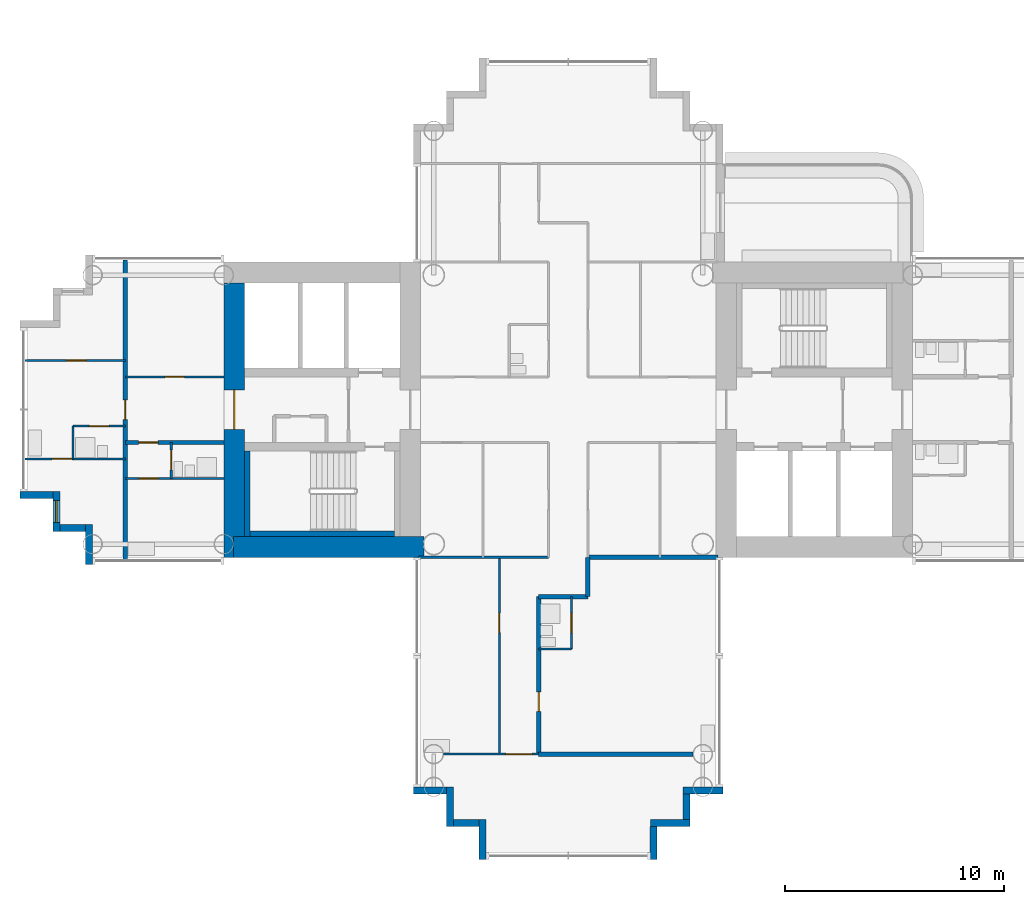
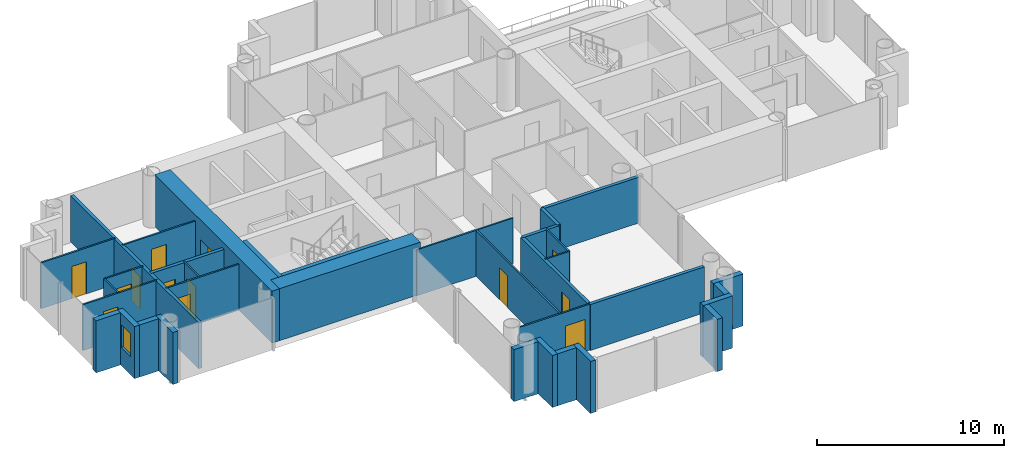
# One storey, part 9 of 22: 35 walls, 13 doors, 1 window, 14 openings.
"""IFC4 building model written with IfcOpenShell, lengths in metres."""

from ifc_helpers import new_model, si_unit, direction, frame, frame_2d, origin, place, context, subcontext, project, spatial, rectangle, extrude, material, layer, layer_set, type_object, element, fill, save


model = new_model("IFC4")

# Units and contexts
model_context = context("Model", 3, precision=1e-05, world=origin(), true_north=direction((0.0, 1.0)))
body_context = subcontext(model_context, "Body", "Model", "MODEL_VIEW")
ifc_project = project(units=[si_unit("LENGTHUNIT", "METRE"), si_unit("AREAUNIT", "SQUARE_METRE"), si_unit("VOLUMEUNIT", "CUBIC_METRE"), si_unit("PLANEANGLEUNIT", "RADIAN"), si_unit("MASSUNIT", "GRAM", prefix="KILO")], contexts=[model_context])

# Site, building, storey
site_placement = place(None, origin())
site = spatial("IfcSite", under=ifc_project, at=site_placement, CompositionType="ELEMENT")
building_placement = place(site_placement, origin())
building = spatial("IfcBuilding", under=site, at=building_placement, Name="Ipe Terrace Towers", CompositionType="ELEMENT")
storey_placement = place(building_placement, frame((0.0, 0.0, 110.60009765625)))
storey = spatial("IfcBuildingStorey", under=building, at=storey_placement, Name="L30", CompositionType="ELEMENT", Elevation=110.60009765625)

# Wall
ifc_material_1 = material(Name="Concrete C40/50 with buff precast cladding", Category="concrete")
ifc_layer_1 = layer(ifc_material_1, 0.320068359375)
ifc_layer_set_1 = layer_set([ifc_layer_1], Name="BUFF CLADDING WALL 320")
wall_type_1 = type_object("IfcWallType", Name="BUFF CLADDING WALL 320", PredefinedType="STANDARD", material=ifc_layer_set_1)
wall_1_placement = place(storey_placement, frame((-61.070068359375, -3.909912109375, -0.300048828125), z_axis=(0.0, 0.0, 1.0), x_axis=(1.0, 0.0, 0.0)))
element("IfcWall", 1, at=wall_1_placement, inside=storey, type_object=wall_type_1, Name="T1-W-L30-00a wall", PredefinedType="STANDARD", context=body_context, shape_type="SweptSolid", body=[
    extrude(rectangle(XDim=1.5, YDim=0.320068359375, at=frame_2d((0.75, 0.0))), origin(), (0.0, 0.0, 1.0), 3.39990234375),
])

# Wall, opening, window
wall_2_placement = place(storey_placement, frame((-59.409912109375, -3.75, -0.300048828125), z_axis=(0.0, 0.0, 1.0), x_axis=(0.0, -1.0, 0.0)))
wall_2 = element("IfcWall", 2, at=wall_2_placement, inside=storey, type_object=wall_type_1, Name="T1-W-L30-01a wall", PredefinedType="STANDARD", context=body_context, shape_type="SweptSolid", body=[
    extrude(rectangle(XDim=1.820068359375, YDim=0.320068359375, at=frame_2d((0.91015625, 0.0))), origin(), (0.0, 0.0, 1.0), 3.39990234375),
])
opening_1_placement = place(wall_2_placement, frame((0.409912109375, 0.0, 1.199951171875)))
opening_1 = element("IfcOpeningElement", 3, at=opening_1_placement, cuts=wall_2, Name="Opening T1-W-05-L30-01", PredefinedType="OPENING", context=body_context, shape_type="SweptSolid", body=[
    extrude(rectangle(XDim=1.0, YDim=1.5, at=frame_2d((0.5, 0.75))), frame((0.0, 0.169921875, 0.0), z_axis=(0.0, -1.0, 0.0), x_axis=(1.0, 0.0, 0.0)), (0.0, 0.0, 1.0), 0.340087890625),
])
ifc_material_2 = material(Name="Glass, clear laminated", Category="glass")
window_type = type_object("IfcWindowType", Name="DWELLING WINDOW 1000 x 1500", PartitioningType="SINGLE_PANEL", PredefinedType="WINDOW", material=ifc_material_2)
window_placement = place(opening_1_placement, origin())
window = element("IfcWindow", 4, at=window_placement, inside=storey, type_object=window_type, Name="W-05 window", OverallHeight=1.5, OverallWidth=1.0, PartitioningType="SINGLE_PANEL", PredefinedType="WINDOW", context=body_context, shape_type="SweptSolid", body=[
    extrude(rectangle(XDim=1.0, YDim=1.5, at=frame_2d((0.5, 0.75))), frame((0.0, 0.030029296875, 0.0), z_axis=(0.0, -1.0, 0.0), x_axis=(1.0, 0.0, 0.0)), (0.0, 0.0, 1.0), 0.06005859375),
])
fill(opening_1, window)

# Walls
wall_3_placement = place(storey_placement, frame((-59.25, -5.409912109375, -0.300048828125), z_axis=(0.0, 0.0, 1.0), x_axis=(1.0, 0.0, 0.0)))
element("IfcWall", 5, at=wall_3_placement, inside=storey, type_object=wall_type_1, Name="T1-W-L30-02a wall", PredefinedType="STANDARD", context=body_context, shape_type="SweptSolid", body=[
    extrude(rectangle(XDim=1.179931640625, YDim=0.320068359375, at=frame_2d((0.58984375, 0.0))), origin(), (0.0, 0.0, 1.0), 3.39990234375),
])
wall_4_placement = place(storey_placement, frame((-57.909912109375, -5.25, -0.300048828125), z_axis=(0.0, 0.0, 1.0), x_axis=(0.0, -1.0, 0.0)))
element("IfcWall", 6, at=wall_4_placement, inside=storey, type_object=wall_type_1, Name="T1-W-L30-03a wall", PredefinedType="STANDARD", context=body_context, shape_type="SweptSolid", body=[
    extrude(rectangle(XDim=1.820068359375, YDim=0.320068359375, at=frame_2d((0.91015625, 0.0))), origin(), (0.0, 0.0, 1.0), 3.39990234375),
])
wall_5_placement = place(storey_placement, frame((-43.070068359375, -17.409912109375, -0.300048828125), z_axis=(0.0, 0.0, 1.0), x_axis=(1.0, 0.0, 0.0)))
element("IfcWall", 7, at=wall_5_placement, inside=storey, type_object=wall_type_1, Name="T1-W-L30-08a wall", PredefinedType="STANDARD", context=body_context, shape_type="SweptSolid", body=[
    extrude(rectangle(XDim=1.5, YDim=0.320068359375, at=frame_2d((0.75, 0.0))), origin(), (0.0, 0.0, 1.0), 3.39990234375),
])
wall_6_placement = place(storey_placement, frame((-41.409912109375, -17.25, -0.300048828125), z_axis=(0.0, 0.0, 1.0), x_axis=(0.0, -1.0, 0.0)))
element("IfcWall", 8, at=wall_6_placement, inside=storey, type_object=wall_type_1, Name="T1-W-L30-09a wall", PredefinedType="STANDARD", context=body_context, shape_type="SweptSolid", body=[
    extrude(rectangle(XDim=1.820068359375, YDim=0.320068359375, at=frame_2d((0.91015625, 0.0))), origin(), (0.0, 0.0, 1.0), 3.39990234375),
])
wall_7_placement = place(storey_placement, frame((-41.25, -18.909912109375, -0.300048828125), z_axis=(0.0, 0.0, 1.0), x_axis=(1.0, 0.0, 0.0)))
element("IfcWall", 9, at=wall_7_placement, inside=storey, type_object=wall_type_1, Name="T1-W-L30-10a wall", PredefinedType="STANDARD", context=body_context, shape_type="SweptSolid", body=[
    extrude(rectangle(XDim=1.179931640625, YDim=0.320068359375, at=frame_2d((0.58984375, 0.0))), origin(), (0.0, 0.0, 1.0), 3.39990234375),
])
wall_8_placement = place(storey_placement, frame((-39.909912109375, -18.75, -0.300048828125), z_axis=(0.0, 0.0, 1.0), x_axis=(0.0, -1.0, 0.0)))
element("IfcWall", 10, at=wall_8_placement, inside=storey, type_object=wall_type_1, Name="T1-W-L30-11a wall", PredefinedType="STANDARD", context=body_context, shape_type="SweptSolid", body=[
    extrude(rectangle(XDim=1.820068359375, YDim=0.320068359375, at=frame_2d((0.91015625, 0.0))), origin(), (0.0, 0.0, 1.0), 3.39990234375),
])
wall_9_placement = place(storey_placement, frame((-32.090087890625, -20.570068359375, -0.300048828125), z_axis=(0.0, 0.0, 1.0), x_axis=(0.0, 1.0, 0.0)))
element("IfcWall", 11, at=wall_9_placement, inside=storey, type_object=wall_type_1, Name="T1-W-L30-13a wall", PredefinedType="STANDARD", context=body_context, shape_type="SweptSolid", body=[
    extrude(rectangle(XDim=1.5, YDim=0.320068359375, at=frame_2d((0.75, 0.0))), origin(), (0.0, 0.0, 1.0), 3.39990234375),
])
wall_10_placement = place(storey_placement, frame((-32.25, -18.909912109375, -0.300048828125), z_axis=(0.0, 0.0, 1.0), x_axis=(1.0, 0.0, 0.0)))
element("IfcWall", 12, at=wall_10_placement, inside=storey, type_object=wall_type_1, Name="T1-W-L30-14a wall", PredefinedType="STANDARD", context=body_context, shape_type="SweptSolid", body=[
    extrude(rectangle(XDim=1.820068359375, YDim=0.320068359375, at=frame_2d((0.91015625, 0.0))), origin(), (0.0, 0.0, 1.0), 3.39990234375),
])
wall_11_placement = place(storey_placement, frame((-30.590087890625, -18.75, -0.300048828125), z_axis=(0.0, 0.0, 1.0), x_axis=(0.0, 1.0, 0.0)))
element("IfcWall", 13, at=wall_11_placement, inside=storey, type_object=wall_type_1, Name="T1-W-L30-15a wall", PredefinedType="STANDARD", context=body_context, shape_type="SweptSolid", body=[
    extrude(rectangle(XDim=1.179931640625, YDim=0.320068359375, at=frame_2d((0.58984375, 0.0))), origin(), (0.0, 0.0, 1.0), 3.39990234375),
])
wall_12_placement = place(storey_placement, frame((-30.75, -17.409912109375, -0.300048828125), z_axis=(0.0, 0.0, 1.0), x_axis=(1.0, 0.0, 0.0)))
element("IfcWall", 14, at=wall_12_placement, inside=storey, type_object=wall_type_1, Name="T1-W-L30-16a wall", PredefinedType="STANDARD", context=body_context, shape_type="SweptSolid", body=[
    extrude(rectangle(XDim=1.820068359375, YDim=0.320068359375, at=frame_2d((0.91015625, 0.0))), origin(), (0.0, 0.0, 1.0), 3.39990234375),
])
ifc_material_3 = material(Name="Gypsum board partition", Category="plasterboard")
ifc_layer_2 = layer(ifc_material_3, 0.10009765625)
ifc_layer_set_2 = layer_set([ifc_layer_2], Name="Gypsum board partition 100 mm")
wall_type_2 = type_object("IfcWallType", Name="Gypsum board partition 100 mm", PredefinedType="PARTITIONING", material=ifc_layer_set_2)
wall_13_placement = place(storey_placement, frame((-58.64990234375, -2.25, 0.0), z_axis=(0.0, 0.0, 1.0), x_axis=(0.0, 1.0, 0.0)))
element("IfcWall", 15, at=wall_13_placement, inside=storey, type_object=wall_type_2, Name="Gypsum board partition T1 L30 W01", PredefinedType="PARTITIONING", context=body_context, shape_type="SweptSolid", body=[
    extrude(rectangle(XDim=1.5, YDim=0.10009765625, at=frame_2d((0.75, 0.0))), origin(), (0.0, 0.0, 1.0), 3.0),
])

# Wall, opening, door
wall_14_placement = place(storey_placement, frame((-54.14990234375, -3.14990234375, 0.0), z_axis=(0.0, 0.0, 1.0), x_axis=(0.0, 1.0, 0.0)))
wall_14 = element("IfcWall", 16, at=wall_14_placement, inside=storey, type_object=wall_type_2, Name="Gypsum board partition T1 L30 W03", PredefinedType="PARTITIONING", context=body_context, shape_type="SweptSolid", body=[
    extrude(rectangle(XDim=1.64990234375, YDim=0.10009765625, at=frame_2d((0.824951171875, 0.0))), origin(), (0.0, 0.0, 1.0), 3.0),
])
opening_2_placement = place(wall_14_placement, frame((0.39990234375, 0.0, 0.0)))
opening_2 = element("IfcOpeningElement", 17, at=opening_2_placement, cuts=wall_14, Name="Opening T1-Z2F-24", PredefinedType="OPENING", context=body_context, shape_type="SweptSolid", body=[
    extrude(rectangle(XDim=0.89990234375, YDim=2.10009765625, at=frame_2d((0.449951171875, 1.050048828125))), frame((0.0, 0.06005859375, 0.0), z_axis=(0.0, -1.0, 0.0), x_axis=(1.0, 0.0, 0.0)), (0.0, 0.0, 1.0), 0.1201171875),
])
ifc_material_4 = material(Name="Timber door leaf", Category="wood")
door_type_1 = type_object("IfcDoorType", Name="Bathroom door 900 x 2100", OperationType="NOTDEFINED", PredefinedType="DOOR", material=ifc_material_4)
door_1_placement = place(opening_2_placement, origin())
door_1 = element("IfcDoor", 18, at=door_1_placement, inside=storey, type_object=door_type_1, Name="Bathroom door T1-Z2F-24", OperationType="SINGLE_SWING_RIGHT", OverallHeight=2.10009765625, OverallWidth=0.89990234375, PredefinedType="DOOR", context=body_context, shape_type="SweptSolid", body=[
    extrude(rectangle(XDim=0.89990234375, YDim=2.10009765625, at=frame_2d((0.449951171875, 1.050048828125))), frame((0.0, 0.02490234375, 0.0), z_axis=(0.0, -1.0, 0.0), x_axis=(1.0, 0.0, 0.0)), (0.0, 0.0, 1.0), 0.050048828125),
])
fill(opening_2, door_1)

wall_15_placement = place(storey_placement, frame((-39.14990234375, -15.75, 0.0), z_axis=(0.0, 0.0, 1.0), x_axis=(0.0, 1.0, 0.0)))
wall_15 = element("IfcWall", 19, at=wall_15_placement, inside=storey, type_object=wall_type_2, Name="Gypsum board partition T1 L30 W05", PredefinedType="PARTITIONING", context=body_context, shape_type="SweptSolid", body=[
    extrude(rectangle(XDim=9.0, YDim=0.10009765625, at=frame_2d((4.5, 0.0))), origin(), (0.0, 0.0, 1.0), 3.0),
])
opening_3_placement = place(wall_15_placement, frame((5.550048828125, 0.0, 0.0)))
opening_3 = element("IfcOpeningElement", 20, at=opening_3_placement, cuts=wall_15, Name="Opening T1-Z2F-14", PredefinedType="OPENING", context=body_context, shape_type="SweptSolid", body=[
    extrude(rectangle(XDim=0.89990234375, YDim=2.10009765625, at=frame_2d((0.449951171875, 1.050048828125))), frame((0.0, 0.06005859375, 0.0), z_axis=(0.0, -1.0, 0.0), x_axis=(1.0, 0.0, 0.0)), (0.0, 0.0, 1.0), 0.1201171875),
])
ifc_material_5 = material(Name="Timber door leaf", Category="wood")
door_type_2 = type_object("IfcDoorType", Name="Lounge door 900 x 2100", OperationType="NOTDEFINED", PredefinedType="DOOR", material=ifc_material_5)
door_2_placement = place(opening_3_placement, origin())
door_2 = element("IfcDoor", 21, at=door_2_placement, inside=storey, type_object=door_type_2, Name="Lounge door T1-Z2F-14", OperationType="SINGLE_SWING_LEFT", OverallHeight=2.10009765625, OverallWidth=0.89990234375, PredefinedType="DOOR", context=body_context, shape_type="SweptSolid", body=[
    extrude(rectangle(XDim=0.89990234375, YDim=2.10009765625, at=frame_2d((0.449951171875, 1.050048828125))), frame((0.0, 0.02490234375, 0.0), z_axis=(0.0, -1.0, 0.0), x_axis=(1.0, 0.0, 0.0)), (0.0, 0.0, 1.0), 0.050048828125),
])
fill(opening_3, door_2)

wall_16_placement = place(storey_placement, frame((-35.85009765625, -10.949951171875, 0.0), z_axis=(0.0, 0.0, 1.0), x_axis=(0.0, 1.0, 0.0)))
wall_16 = element("IfcWall", 22, at=wall_16_placement, inside=storey, type_object=wall_type_2, Name="Gypsum board partition T1 L30 W12", PredefinedType="PARTITIONING", context=body_context, shape_type="SweptSolid", body=[
    extrude(rectangle(XDim=2.39990234375, YDim=0.10009765625, at=frame_2d((1.199951171875, 0.0))), origin(), (0.0, 0.0, 1.0), 3.0),
])
opening_4_placement = place(wall_16_placement, frame((0.75, 0.0, 0.0)))
opening_4 = element("IfcOpeningElement", 23, at=opening_4_placement, cuts=wall_16, Name="Opening T1-Z2F-13", PredefinedType="OPENING", context=body_context, shape_type="SweptSolid", body=[
    extrude(rectangle(XDim=0.89990234375, YDim=2.10009765625, at=frame_2d((0.449951171875, 1.050048828125))), frame((0.0, 0.06005859375, 0.0), z_axis=(0.0, -1.0, 0.0), x_axis=(1.0, 0.0, 0.0)), (0.0, 0.0, 1.0), 0.1201171875),
])
door_3_placement = place(opening_4_placement, origin())
door_3 = element("IfcDoor", 24, at=door_3_placement, inside=storey, type_object=door_type_1, Name="Bathroom door T1-Z2F-13", OperationType="SINGLE_SWING_LEFT", OverallHeight=2.10009765625, OverallWidth=0.89990234375, PredefinedType="DOOR", context=body_context, shape_type="SweptSolid", body=[
    extrude(rectangle(XDim=0.89990234375, YDim=2.10009765625, at=frame_2d((0.449951171875, 1.050048828125))), frame((0.0, 0.02490234375, 0.0), z_axis=(0.0, -1.0, 0.0), x_axis=(1.0, 0.0, 0.0)), (0.0, 0.0, 1.0), 0.050048828125),
])
fill(opening_4, door_3)

wall_17_placement = place(storey_placement, frame((-41.699951171875, -15.75, 0.0), z_axis=(0.0, 0.0, 1.0), x_axis=(1.0, 0.0, 0.0)))
wall_17 = element("IfcWall", 25, at=wall_17_placement, inside=storey, type_object=wall_type_2, Name="Gypsum board partition T1 L30 W23", PredefinedType="PARTITIONING", context=body_context, shape_type="SweptSolid", body=[
    extrude(rectangle(XDim=4.349853515625, YDim=0.10009765625, at=frame_2d((2.1748046875, 0.0))), origin(), (0.0, 0.0, 1.0), 3.0),
])
opening_5_placement = place(wall_17_placement, frame((2.85009765625, 0.0, 0.0)))
opening_5 = element("IfcOpeningElement", 26, at=opening_5_placement, cuts=wall_17, Name="Opening T1-Z2F-15", PredefinedType="OPENING", context=body_context, shape_type="SweptSolid", body=[
    extrude(rectangle(XDim=1.199951171875, YDim=2.10009765625, at=frame_2d((0.60009765625, 1.050048828125))), frame((0.0, 0.06005859375, 0.0), z_axis=(0.0, -1.0, 0.0), x_axis=(1.0, 0.0, 0.0)), (0.0, 0.0, 1.0), 0.1201171875),
])
ifc_material_6 = material(Name="Timber door leaf", Category="wood")
door_type_3 = type_object("IfcDoorType", Name="Lounge door 1200 x 2100", OperationType="NOTDEFINED", PredefinedType="DOOR", material=ifc_material_6)
door_4_placement = place(opening_5_placement, origin())
door_4 = element("IfcDoor", 27, at=door_4_placement, inside=storey, type_object=door_type_3, Name="Lounge door T1-Z2F-15", OperationType="SINGLE_SWING_RIGHT", OverallHeight=2.10009765625, OverallWidth=1.199951171875, PredefinedType="DOOR", context=body_context, shape_type="SweptSolid", body=[
    extrude(rectangle(XDim=1.199951171875, YDim=2.10009765625, at=frame_2d((0.60009765625, 1.050048828125))), frame((0.0, 0.02490234375, 0.0), z_axis=(0.0, -1.0, 0.0), x_axis=(1.0, 0.0, 0.0)), (0.0, 0.0, 1.0), 0.050048828125),
])
fill(opening_5, door_4)

# Walls
wall_18_placement = place(storey_placement, frame((-37.35009765625, -10.949951171875, 0.0), z_axis=(0.0, 0.0, 1.0), x_axis=(1.0, 0.0, 0.0)))
element("IfcWall", 28, at=wall_18_placement, inside=storey, type_object=wall_type_2, Name="Gypsum board partition T1 L30 W25", PredefinedType="PARTITIONING", context=body_context, shape_type="SweptSolid", body=[
    extrude(rectangle(XDim=1.5, YDim=0.10009765625, at=frame_2d((0.75, 0.0))), origin(), (0.0, 0.0, 1.0), 3.0),
])
wall_19_placement = place(storey_placement, frame((-42.85009765625, -6.75, 0.0), z_axis=(0.0, 0.0, 1.0), x_axis=(1.0, 0.0, 0.0)))
element("IfcWall", 29, at=wall_19_placement, inside=storey, type_object=wall_type_2, Name="Gypsum board partition T1 L30 W27", PredefinedType="PARTITIONING", context=body_context, shape_type="SweptSolid", body=[
    extrude(rectangle(XDim=5.9501953125, YDim=0.10009765625, at=frame_2d((2.97509765625, 0.0))), origin(), (0.0, 0.0, 1.0), 3.0),
])

# Wall, opening, door
wall_20_placement = place(storey_placement, frame((-56.25, -3.14990234375, 0.0), z_axis=(0.0, 0.0, 1.0), x_axis=(1.0, 0.0, 0.0)))
wall_20 = element("IfcWall", 30, at=wall_20_placement, inside=storey, type_object=wall_type_2, Name="Gypsum board partition T1 L30 W29", PredefinedType="PARTITIONING", context=body_context, shape_type="SweptSolid", body=[
    extrude(rectangle(XDim=4.5, YDim=0.10009765625, at=frame_2d((2.25, 0.0))), origin(), (0.0, 0.0, 1.0), 3.0),
])
opening_6_placement = place(wall_20_placement, frame((0.60009765625, 0.0, 0.0)))
opening_6 = element("IfcOpeningElement", 31, at=opening_6_placement, cuts=wall_20, Name="Opening T1-Z2F-23", PredefinedType="OPENING", context=body_context, shape_type="SweptSolid", body=[
    extrude(rectangle(XDim=0.89990234375, YDim=2.10009765625, at=frame_2d((0.449951171875, 1.050048828125))), frame((0.0, 0.06005859375, 0.0), z_axis=(0.0, -1.0, 0.0), x_axis=(1.0, 0.0, 0.0)), (0.0, 0.0, 1.0), 0.1201171875),
])
ifc_material_7 = material(Name="Timber door leaf", Category="wood")
door_type_4 = type_object("IfcDoorType", Name="Bedroom door 900 x 2100", OperationType="NOTDEFINED", PredefinedType="DOOR", material=ifc_material_7)
door_5_placement = place(opening_6_placement, origin())
door_5 = element("IfcDoor", 32, at=door_5_placement, inside=storey, type_object=door_type_4, Name="Bedroom door T1-Z2F-23", OperationType="SINGLE_SWING_LEFT", OverallHeight=2.10009765625, OverallWidth=0.89990234375, PredefinedType="DOOR", context=body_context, shape_type="SweptSolid", body=[
    extrude(rectangle(XDim=0.89990234375, YDim=2.10009765625, at=frame_2d((0.449951171875, 1.050048828125))), frame((0.0, 0.02490234375, 0.0), z_axis=(0.0, -1.0, 0.0), x_axis=(1.0, 0.0, 0.0)), (0.0, 0.0, 1.0), 0.050048828125),
])
fill(opening_6, door_5)

wall_21_placement = place(storey_placement, frame((-60.85009765625, -2.25, 0.0), z_axis=(0.0, 0.0, 1.0), x_axis=(1.0, 0.0, 0.0)))
wall_21 = element("IfcWall", 33, at=wall_21_placement, inside=storey, type_object=wall_type_2, Name="Gypsum board partition T1 L30 W31", PredefinedType="PARTITIONING", context=body_context, shape_type="SweptSolid", body=[
    extrude(rectangle(XDim=4.60009765625, YDim=0.10009765625, at=frame_2d((2.300048828125, 0.0))), origin(), (0.0, 0.0, 1.0), 3.0),
])
opening_7_placement = place(wall_21_placement, frame((1.25, 0.0, 0.0)))
opening_7 = element("IfcOpeningElement", 34, at=opening_7_placement, cuts=wall_21, Name="Opening T1-Z2F-28", PredefinedType="OPENING", context=body_context, shape_type="SweptSolid", body=[
    extrude(rectangle(XDim=0.89990234375, YDim=2.10009765625, at=frame_2d((0.449951171875, 1.050048828125))), frame((0.0, 0.06005859375, 0.0), z_axis=(0.0, -1.0, 0.0), x_axis=(1.0, 0.0, 0.0)), (0.0, 0.0, 1.0), 0.1201171875),
])
door_6_placement = place(opening_7_placement, origin())
door_6 = element("IfcDoor", 35, at=door_6_placement, inside=storey, type_object=door_type_4, Name="Bedroom door T1-Z2F-28", OperationType="SINGLE_SWING_LEFT", OverallHeight=2.10009765625, OverallWidth=0.89990234375, PredefinedType="DOOR", context=body_context, shape_type="SweptSolid", body=[
    extrude(rectangle(XDim=0.89990234375, YDim=2.10009765625, at=frame_2d((0.449951171875, 1.050048828125))), frame((0.0, 0.02490234375, 0.0), z_axis=(0.0, -1.0, 0.0), x_axis=(1.0, 0.0, 0.0)), (0.0, 0.0, 1.0), 0.050048828125),
])
fill(opening_7, door_6)

wall_22_placement = place(storey_placement, frame((-58.64990234375, -0.75, 0.0), z_axis=(0.0, 0.0, 1.0), x_axis=(1.0, 0.0, 0.0)))
wall_22 = element("IfcWall", 36, at=wall_22_placement, inside=storey, type_object=wall_type_2, Name="Gypsum board partition T1 L30 W36", PredefinedType="PARTITIONING", context=body_context, shape_type="SweptSolid", body=[
    extrude(rectangle(XDim=2.39990234375, YDim=0.10009765625, at=frame_2d((1.199951171875, 0.0))), origin(), (0.0, 0.0, 1.0), 3.0),
])
opening_8_placement = place(wall_22_placement, frame((0.75, 0.0, 0.0)))
opening_8 = element("IfcOpeningElement", 37, at=opening_8_placement, cuts=wall_22, Name="Opening T1-Z2F-26", PredefinedType="OPENING", context=body_context, shape_type="SweptSolid", body=[
    extrude(rectangle(XDim=0.89990234375, YDim=2.10009765625, at=frame_2d((0.449951171875, 1.050048828125))), frame((0.0, 0.06005859375, 0.0), z_axis=(0.0, -1.0, 0.0), x_axis=(1.0, 0.0, 0.0)), (0.0, 0.0, 1.0), 0.1201171875),
])
door_7_placement = place(opening_8_placement, origin())
door_7 = element("IfcDoor", 38, at=door_7_placement, inside=storey, type_object=door_type_1, Name="Bathroom door T1-Z2F-26", OperationType="SINGLE_SWING_RIGHT", OverallHeight=2.10009765625, OverallWidth=0.89990234375, PredefinedType="DOOR", context=body_context, shape_type="SweptSolid", body=[
    extrude(rectangle(XDim=0.89990234375, YDim=2.10009765625, at=frame_2d((0.449951171875, 1.050048828125))), frame((0.0, 0.02490234375, 0.0), z_axis=(0.0, -1.0, 0.0), x_axis=(1.0, 0.0, 0.0)), (0.0, 0.0, 1.0), 0.050048828125),
])
fill(opening_8, door_7)

wall_23_placement = place(storey_placement, frame((-56.25, 1.5, 0.0), z_axis=(0.0, 0.0, 1.0), x_axis=(1.0, 0.0, 0.0)))
wall_23 = element("IfcWall", 39, at=wall_23_placement, inside=storey, type_object=wall_type_2, Name="Gypsum board partition T1 L30 W37", PredefinedType="PARTITIONING", context=body_context, shape_type="SweptSolid", body=[
    extrude(rectangle(XDim=4.5, YDim=0.10009765625, at=frame_2d((2.25, 0.0))), origin(), (0.0, 0.0, 1.0), 3.0),
])
opening_9_placement = place(wall_23_placement, frame((1.800048828125, 0.0, 0.0)))
opening_9 = element("IfcOpeningElement", 40, at=opening_9_placement, cuts=wall_23, Name="Opening T1-Z2F-25", PredefinedType="OPENING", context=body_context, shape_type="SweptSolid", body=[
    extrude(rectangle(XDim=0.89990234375, YDim=2.10009765625, at=frame_2d((0.449951171875, 1.050048828125))), frame((0.0, 0.06005859375, 0.0), z_axis=(0.0, -1.0, 0.0), x_axis=(1.0, 0.0, 0.0)), (0.0, 0.0, 1.0), 0.1201171875),
])
door_8_placement = place(opening_9_placement, origin())
door_8 = element("IfcDoor", 41, at=door_8_placement, inside=storey, type_object=door_type_2, Name="Lounge door T1-Z2F-25", OperationType="SINGLE_SWING_LEFT", OverallHeight=2.10009765625, OverallWidth=0.89990234375, PredefinedType="DOOR", context=body_context, shape_type="SweptSolid", body=[
    extrude(rectangle(XDim=0.89990234375, YDim=2.10009765625, at=frame_2d((0.449951171875, 1.050048828125))), frame((0.0, 0.02490234375, 0.0), z_axis=(0.0, -1.0, 0.0), x_axis=(1.0, 0.0, 0.0)), (0.0, 0.0, 1.0), 0.050048828125),
])
fill(opening_9, door_8)

wall_24_placement = place(storey_placement, frame((-60.85009765625, 2.25, 0.0), z_axis=(0.0, 0.0, 1.0), x_axis=(1.0, 0.0, 0.0)))
wall_24 = element("IfcWall", 42, at=wall_24_placement, inside=storey, type_object=wall_type_2, Name="Gypsum board partition T1 L30 W41", PredefinedType="PARTITIONING", context=body_context, shape_type="SweptSolid", body=[
    extrude(rectangle(XDim=4.60009765625, YDim=0.10009765625, at=frame_2d((2.300048828125, 0.0))), origin(), (0.0, 0.0, 1.0), 3.0),
])
opening_10_placement = place(wall_24_placement, frame((1.89990234375, 0.0, 0.0)))
opening_10 = element("IfcOpeningElement", 43, at=opening_10_placement, cuts=wall_24, Name="Opening T1-Z2F-29", PredefinedType="OPENING", context=body_context, shape_type="SweptSolid", body=[
    extrude(rectangle(XDim=0.89990234375, YDim=2.10009765625, at=frame_2d((0.449951171875, 1.050048828125))), frame((0.0, 0.06005859375, 0.0), z_axis=(0.0, -1.0, 0.0), x_axis=(1.0, 0.0, 0.0)), (0.0, 0.0, 1.0), 0.1201171875),
])
door_9_placement = place(opening_10_placement, origin())
door_9 = element("IfcDoor", 44, at=door_9_placement, inside=storey, type_object=door_type_4, Name="Bedroom door T1-Z2F-29", OperationType="SINGLE_SWING_LEFT", OverallHeight=2.10009765625, OverallWidth=0.89990234375, PredefinedType="DOOR", context=body_context, shape_type="SweptSolid", body=[
    extrude(rectangle(XDim=0.89990234375, YDim=2.10009765625, at=frame_2d((0.449951171875, 1.050048828125))), frame((0.0, 0.02490234375, 0.0), z_axis=(0.0, -1.0, 0.0), x_axis=(1.0, 0.0, 0.0)), (0.0, 0.0, 1.0), 0.050048828125),
])
fill(opening_10, door_9)

ifc_material_8 = material(Name="Gypsum board party wall", Category="plasterboard")
ifc_layer_3 = layer(ifc_material_8, 0.199951171875)
ifc_layer_set_3 = layer_set([ifc_layer_3], Name="Gypsum board party wall 200 mm")
wall_type_3 = type_object("IfcWallType", Name="Gypsum board party wall 200 mm", PredefinedType="SOLIDWALL", material=ifc_layer_set_3)
wall_25_placement = place(storey_placement, frame((-56.25, -6.85009765625, 0.0), z_axis=(0.0, 0.0, 1.0), x_axis=(0.0, 1.0, 0.0)))
wall_25 = element("IfcWall", 45, at=wall_25_placement, inside=storey, type_object=wall_type_3, Name="Gypsum board party wall T1 L30 W02", PredefinedType="SOLIDWALL", context=body_context, shape_type="SweptSolid", body=[
    extrude(rectangle(XDim=13.7001953125, YDim=0.199951171875, at=frame_2d((6.85009765625, 0.0))), origin(), (0.0, 0.0, 1.0), 3.0),
])
opening_11_placement = place(wall_25_placement, frame((6.39990234375, 0.0, 0.0)))
opening_11 = element("IfcOpeningElement", 46, at=opening_11_placement, cuts=wall_25, Name="Opening T1-Z2F-27", PredefinedType="OPENING", context=body_context, shape_type="SweptSolid", body=[
    extrude(rectangle(XDim=0.89990234375, YDim=2.10009765625, at=frame_2d((0.449951171875, 1.050048828125))), frame((0.0, 0.10986328125, 0.0), z_axis=(0.0, -1.0, 0.0), x_axis=(1.0, 0.0, 0.0)), (0.0, 0.0, 1.0), 0.219970703125),
])
ifc_material_9 = material(Name="Fire-rated timber door leaf", Category="wood")
door_type_5 = type_object("IfcDoorType", Name="Flat entrance door 900 x 2100 FD30S", OperationType="NOTDEFINED", PredefinedType="DOOR", material=ifc_material_9)
door_10_placement = place(opening_11_placement, origin())
door_10 = element("IfcDoor", 47, at=door_10_placement, inside=storey, type_object=door_type_5, Name="Flat entrance door T1-Z2F-27", OperationType="SINGLE_SWING_LEFT", OverallHeight=2.10009765625, OverallWidth=0.89990234375, PredefinedType="DOOR", context=body_context, shape_type="SweptSolid", body=[
    extrude(rectangle(XDim=0.89990234375, YDim=2.10009765625, at=frame_2d((0.449951171875, 1.050048828125))), frame((0.0, 0.02490234375, 0.0), z_axis=(0.0, -1.0, 0.0), x_axis=(1.0, 0.0, 0.0)), (0.0, 0.0, 1.0), 0.050048828125),
])
fill(opening_11, door_10)

wall_26_placement = place(storey_placement, frame((-37.35009765625, -15.75, 0.0), z_axis=(0.0, 0.0, 1.0), x_axis=(0.0, 1.0, 0.0)))
wall_26 = element("IfcWall", 48, at=wall_26_placement, inside=storey, type_object=wall_type_3, Name="Gypsum board party wall T1 L30 W09", PredefinedType="SOLIDWALL", context=body_context, shape_type="SweptSolid", body=[
    extrude(rectangle(XDim=7.199951171875, YDim=0.199951171875, at=frame_2d((3.60009765625, 0.0))), origin(), (0.0, 0.0, 1.0), 3.0),
])
opening_12_placement = place(wall_26_placement, frame((1.949951171875, 0.0, 0.0)))
opening_12 = element("IfcOpeningElement", 49, at=opening_12_placement, cuts=wall_26, Name="Opening T1-Z2F-12", PredefinedType="OPENING", context=body_context, shape_type="SweptSolid", body=[
    extrude(rectangle(XDim=0.89990234375, YDim=2.10009765625, at=frame_2d((0.449951171875, 1.050048828125))), frame((0.0, 0.10986328125, 0.0), z_axis=(0.0, -1.0, 0.0), x_axis=(1.0, 0.0, 0.0)), (0.0, 0.0, 1.0), 0.219970703125),
])
door_11_placement = place(opening_12_placement, origin())
door_11 = element("IfcDoor", 50, at=door_11_placement, inside=storey, type_object=door_type_5, Name="Flat entrance door T1-Z2F-12", OperationType="SINGLE_SWING_LEFT", OverallHeight=2.10009765625, OverallWidth=0.89990234375, PredefinedType="DOOR", context=body_context, shape_type="SweptSolid", body=[
    extrude(rectangle(XDim=0.89990234375, YDim=2.10009765625, at=frame_2d((0.449951171875, 1.050048828125))), frame((0.0, 0.02490234375, 0.0), z_axis=(0.0, -1.0, 0.0), x_axis=(1.0, 0.0, 0.0)), (0.0, 0.0, 1.0), 0.050048828125),
])
fill(opening_12, door_11)

# Walls
wall_27_placement = place(storey_placement, frame((-35.10009765625, -8.550048828125, 0.0), z_axis=(0.0, 0.0, 1.0), x_axis=(0.0, 1.0, 0.0)))
element("IfcWall", 51, at=wall_27_placement, inside=storey, type_object=wall_type_3, Name="Gypsum board party wall T1 L30 W15", PredefinedType="SOLIDWALL", context=body_context, shape_type="SweptSolid", body=[
    extrude(rectangle(XDim=1.800048828125, YDim=0.199951171875, at=frame_2d((0.89990234375, 0.0))), origin(), (0.0, 0.0, 1.0), 3.0),
])
wall_28_placement = place(storey_placement, frame((-37.35009765625, -15.75, 0.0), z_axis=(0.0, 0.0, 1.0), x_axis=(1.0, 0.0, 0.0)))
element("IfcWall", 52, at=wall_28_placement, inside=storey, type_object=wall_type_3, Name="Gypsum board party wall T1 L30 W24", PredefinedType="SOLIDWALL", context=body_context, shape_type="SweptSolid", body=[
    extrude(rectangle(XDim=7.050048828125, YDim=0.199951171875, at=frame_2d((3.52490234375, 0.0))), origin(), (0.0, 0.0, 1.0), 3.0),
])
wall_29_placement = place(storey_placement, frame((-37.35009765625, -8.550048828125, 0.0), z_axis=(0.0, 0.0, 1.0), x_axis=(1.0, 0.0, 0.0)))
element("IfcWall", 53, at=wall_29_placement, inside=storey, type_object=wall_type_3, Name="Gypsum board party wall T1 L30 W26", PredefinedType="SOLIDWALL", context=body_context, shape_type="SweptSolid", body=[
    extrude(rectangle(XDim=2.25, YDim=0.199951171875, at=frame_2d((1.125, 0.0))), origin(), (0.0, 0.0, 1.0), 3.0),
])
wall_30_placement = place(storey_placement, frame((-35.10009765625, -6.75, 0.0), z_axis=(0.0, 0.0, 1.0), x_axis=(1.0, 0.0, 0.0)))
element("IfcWall", 54, at=wall_30_placement, inside=storey, type_object=wall_type_3, Name="Gypsum board party wall T1 L30 W28", PredefinedType="SOLIDWALL", context=body_context, shape_type="SweptSolid", body=[
    extrude(rectangle(XDim=5.9501953125, YDim=0.199951171875, at=frame_2d((2.97509765625, 0.0))), origin(), (0.0, 0.0, 1.0), 3.0),
])

# Wall, opening, door
wall_31_placement = place(storey_placement, frame((-56.25, -1.5, 0.0), z_axis=(0.0, 0.0, 1.0), x_axis=(1.0, 0.0, 0.0)))
wall_31 = element("IfcWall", 55, at=wall_31_placement, inside=storey, type_object=wall_type_3, Name="Gypsum board party wall T1 L30 W34", PredefinedType="SOLIDWALL", context=body_context, shape_type="SweptSolid", body=[
    extrude(rectangle(XDim=4.5, YDim=0.199951171875, at=frame_2d((2.25, 0.0))), origin(), (0.0, 0.0, 1.0), 3.0),
])
opening_13_placement = place(wall_31_placement, frame((0.60009765625, 0.0, 0.0)))
opening_13 = element("IfcOpeningElement", 56, at=opening_13_placement, cuts=wall_31, Name="Opening T1-Z2F-22", PredefinedType="OPENING", context=body_context, shape_type="SweptSolid", body=[
    extrude(rectangle(XDim=0.89990234375, YDim=2.10009765625, at=frame_2d((0.449951171875, 1.050048828125))), frame((0.0, 0.10986328125, 0.0), z_axis=(0.0, -1.0, 0.0), x_axis=(1.0, 0.0, 0.0)), (0.0, 0.0, 1.0), 0.219970703125),
])
door_12_placement = place(opening_13_placement, origin())
door_12 = element("IfcDoor", 57, at=door_12_placement, inside=storey, type_object=door_type_5, Name="Flat entrance door T1-Z2F-22", OperationType="SINGLE_SWING_LEFT", OverallHeight=2.10009765625, OverallWidth=0.89990234375, PredefinedType="DOOR", context=body_context, shape_type="SweptSolid", body=[
    extrude(rectangle(XDim=0.89990234375, YDim=2.10009765625, at=frame_2d((0.449951171875, 1.050048828125))), frame((0.0, 0.02490234375, 0.0), z_axis=(0.0, -1.0, 0.0), x_axis=(1.0, 0.0, 0.0)), (0.0, 0.0, 1.0), 0.050048828125),
])
fill(opening_13, door_12)

# Walls
ifc_material_10 = material(Name="Concrete C50/60", Category="concrete")
ifc_layer_4 = layer(ifc_material_10, 0.25)
ifc_layer_set_4 = layer_set([ifc_layer_4], Name="RW250 CORE INFILL WALL 250 C50-60")
wall_type_4 = type_object("IfcWallType", Name="RW250 CORE INFILL WALL 250 C50-60", PredefinedType="SHEAR", material=ifc_layer_set_4)
wall_32_placement = place(storey_placement, frame((-50.675048828125, -1.89990234375, 0.0), z_axis=(0.0, 0.0, 1.0), x_axis=(0.0, -1.0, 0.0)))
element("IfcWall", 58, at=wall_32_placement, inside=storey, type_object=wall_type_4, Name="Core infill wall T1-C2-far", PredefinedType="SHEAR", context=body_context, shape_type="SweptSolid", body=[
    extrude(rectangle(XDim=3.900146484375, YDim=0.25, at=frame_2d((1.9501953125, 0.0))), origin(), (0.0, 0.0, 1.0), 3.39990234375),
])
wall_33_placement = place(storey_placement, frame((-43.949951171875, -5.675048828125, 0.0), z_axis=(0.0, 0.0, 1.0), x_axis=(-1.0, 0.0, 0.0)))
element("IfcWall", 59, at=wall_33_placement, inside=storey, type_object=wall_type_4, Name="Core infill wall T1-C2-back", PredefinedType="SHEAR", context=body_context, shape_type="SweptSolid", body=[
    extrude(rectangle(XDim=6.60009765625, YDim=0.25, at=frame_2d((3.300048828125, 0.0))), origin(), (0.0, 0.0, 1.0), 3.39990234375),
])
ifc_material_11 = material(Name="Concrete C50/60", Category="concrete")
ifc_layer_5 = layer(ifc_material_11, 0.949951171875)
ifc_layer_set_5 = layer_set([ifc_layer_5], Name="RW950 CORE WALL 950 C50-60")
wall_type_5 = type_object("IfcWallType", Name="RW950 CORE WALL 950 C50-60", PredefinedType="SHEAR", material=ifc_layer_set_5)
wall_34_placement = place(storey_placement, frame((-51.298095703125, -6.27490234375, 0.0), z_axis=(0.0, 0.0, 1.0), x_axis=(1.0, 0.0, 0.0)))
element("IfcWall", 60, at=wall_34_placement, inside=storey, type_object=wall_type_5, Name="Core wall T1-C2-Z2-W01", PredefinedType="SHEAR", context=body_context, shape_type="SweptSolid", body=[
    extrude(rectangle(XDim=8.696044921875, YDim=0.949951171875, at=frame_2d((4.34814453125, 0.0))), origin(), (0.0, 0.0, 1.0), 3.39990234375),
])

# Wall, opening, door
wall_35_placement = place(storey_placement, frame((-51.27490234375, 5.800048828125, 0.0), z_axis=(0.0, 0.0, 1.0), x_axis=(0.0, -1.0, 0.0)))
wall_35 = element("IfcWall", 61, at=wall_35_placement, inside=storey, type_object=wall_type_5, Name="Core wall T1-C2-Z2-W04", PredefinedType="SHEAR", context=body_context, shape_type="SweptSolid", body=[
    extrude(rectangle(XDim=12.550048828125, YDim=0.949951171875, at=frame_2d((6.27490234375, 0.0))), origin(), (0.0, 0.0, 1.0), 3.39990234375),
])
opening_14_placement = place(wall_35_placement, frame((4.89990234375, 0.0, 0.0)))
opening_14 = element("IfcOpeningElement", 62, at=opening_14_placement, cuts=wall_35, Name="Opening T1C2-FD", PredefinedType="OPENING", context=body_context, shape_type="SweptSolid", body=[
    extrude(rectangle(XDim=1.800048828125, YDim=2.10009765625, at=frame_2d((0.89990234375, 1.050048828125))), frame((0.0, 0.48486328125, 0.0), z_axis=(0.0, -1.0, 0.0), x_axis=(1.0, 0.0, 0.0)), (0.0, 0.0, 1.0), 0.969970703125),
])
ifc_material_12 = material(Name="Fire-rated timber door leaf", Category="wood")
door_type_6 = type_object("IfcDoorType", Name="Fire door 1800 x 2100 FD30S", OperationType="NOTDEFINED", PredefinedType="DOOR", material=ifc_material_12)
door_13_placement = place(opening_14_placement, origin())
door_13 = element("IfcDoor", 63, at=door_13_placement, inside=storey, type_object=door_type_6, Name="Fire door T1C2-FD", OperationType="SINGLE_SWING_LEFT", OverallHeight=2.10009765625, OverallWidth=1.800048828125, PredefinedType="DOOR", context=body_context, shape_type="SweptSolid", body=[
    extrude(rectangle(XDim=1.800048828125, YDim=2.10009765625, at=frame_2d((0.89990234375, 1.050048828125))), frame((0.0, 0.02490234375, 0.0), z_axis=(0.0, -1.0, 0.0), x_axis=(1.0, 0.0, 0.0)), (0.0, 0.0, 1.0), 0.050048828125),
])
fill(opening_14, door_13)

save(model, "model.ifc")
